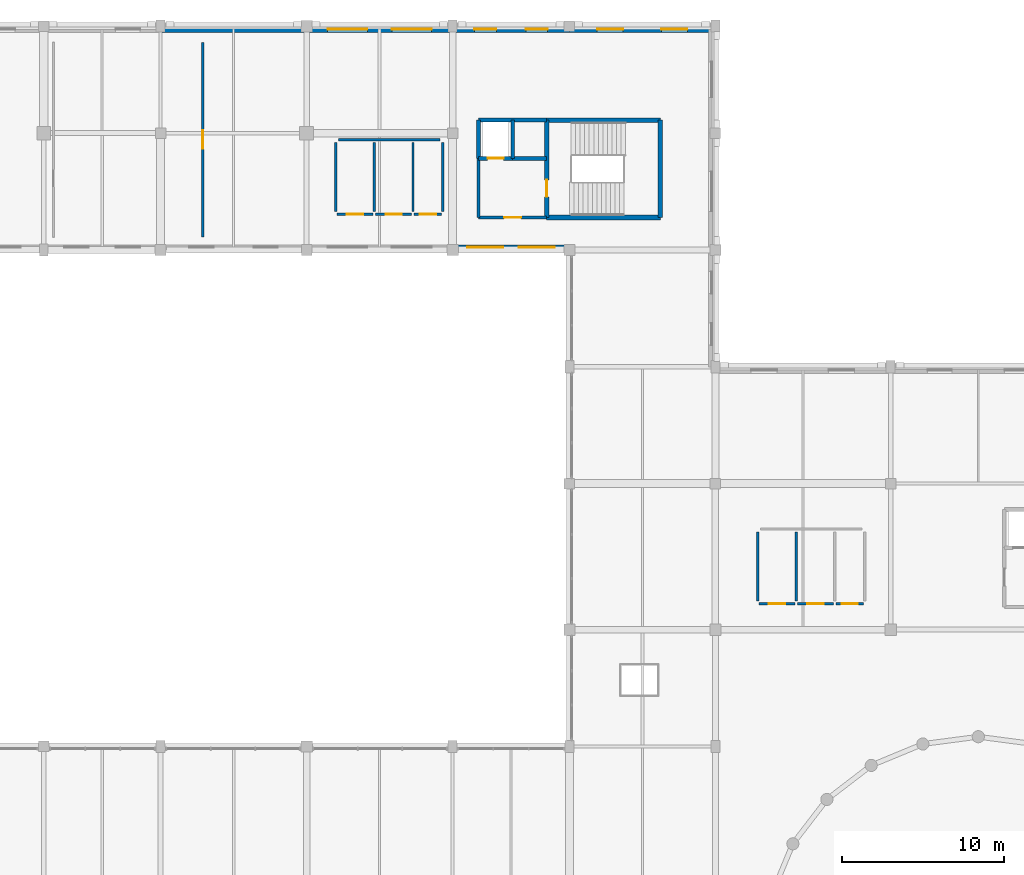
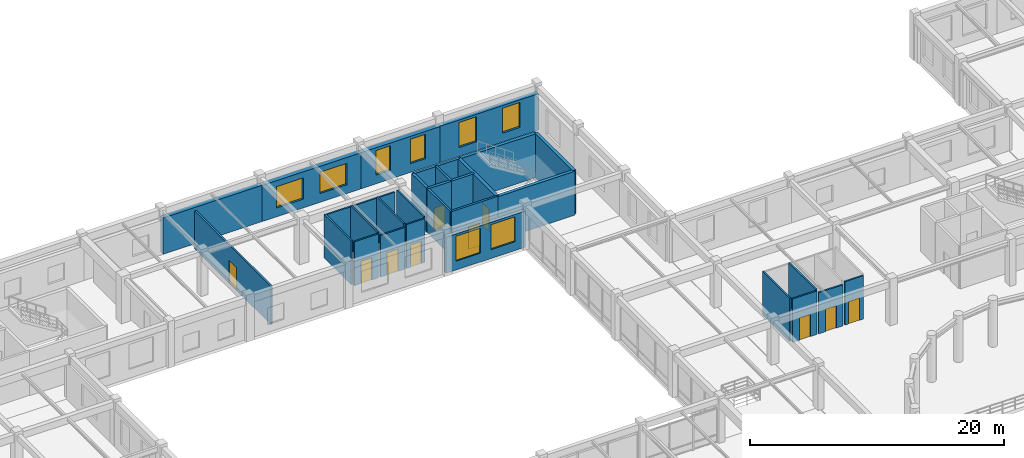
# One storey, part 43 of 62: 30 walls, 10 doors, 8 windows, 18 openings.
"""IFC4 building model written with IfcOpenShell, lengths in metres."""

from ifc_helpers import new_model, si_unit, direction, frame, frame_2d, origin, place, context, subcontext, project, spatial, rectangle, extrude, material, layer, layer_set, type_object, element, fill, save


model = new_model("IFC4")

# Units and contexts
model_context = context("Model", 3, precision=1e-05, world=origin(), true_north=direction((0.0, 1.0)))
body_context = subcontext(model_context, "Body", "Model", "MODEL_VIEW")
ifc_project = project(units=[si_unit("LENGTHUNIT", "METRE"), si_unit("AREAUNIT", "SQUARE_METRE"), si_unit("VOLUMEUNIT", "CUBIC_METRE"), si_unit("PLANEANGLEUNIT", "RADIAN"), si_unit("MASSUNIT", "GRAM", prefix="KILO")], contexts=[model_context])

# Site, building, storey
site_placement = place(None, origin())
site = spatial("IfcSite", under=ifc_project, at=site_placement, CompositionType="ELEMENT")
building_placement = place(site_placement, origin())
building = spatial("IfcBuilding", under=site, at=building_placement, Name="Clarverna Civic Hall", CompositionType="ELEMENT")
storey_placement = place(building_placement, frame((0.0, 0.0, 5.10009765625)))
storey = spatial("IfcBuildingStorey", under=building, at=storey_placement, Name="L01", CompositionType="ELEMENT", Elevation=5.10009765625)

# Wall
ifc_material_1 = material(Name="Montjuic Limestone Ashlar Cladding", Category="masonry")
ifc_layer_1 = layer(ifc_material_1, 0.39990234375)
ifc_layer_set_1 = layer_set([ifc_layer_1], Name="Montjuic Limestone Ashlar Cladding")
wall_type_1 = type_object("IfcWallType", Name="EW-02", PredefinedType="SOLIDWALL", material=ifc_layer_set_1)
wall_1_placement = place(storey_placement, frame((32.39990234375, 115.800048828125, 0.0), z_axis=(0.0, 0.0, 1.0), x_axis=(1.0, 0.0, 0.0)))
element("IfcWall", 1, at=wall_1_placement, inside=storey, type_object=wall_type_1, Name="EW-02-020", PredefinedType="SOLIDWALL", context=body_context, shape_type="SweptSolid", body=[
    extrude(rectangle(XDim=9.0, YDim=0.39990234375, at=frame_2d((4.5, 0.0))), origin(), (0.0, 0.0, 1.0), 3.5),
])

# Wall, openings, windows
wall_2_placement = place(storey_placement, frame((41.39990234375, 115.800048828125, 0.0), z_axis=(0.0, 0.0, 1.0), x_axis=(1.0, 0.0, 0.0)))
wall_2 = element("IfcWall", 2, at=wall_2_placement, inside=storey, type_object=wall_type_1, Name="EW-02-021", PredefinedType="SOLIDWALL", context=body_context, shape_type="SweptSolid", body=[
    extrude(rectangle(XDim=9.0, YDim=0.39990234375, at=frame_2d((4.5, 0.0))), origin(), (0.0, 0.0, 1.0), 3.469970703125),
])
opening_1_placement = place(wall_2_placement, frame((1.294921875, 0.0, 0.85009765625)))
opening_1 = element("IfcOpeningElement", 3, at=opening_1_placement, cuts=wall_2, Name="Opening WN-24", PredefinedType="OPENING", context=body_context, shape_type="SweptSolid", body=[
    extrude(rectangle(XDim=2.449951171875, YDim=2.050048828125, at=frame_2d((1.22509765625, 1.02490234375))), frame((0.0, 0.2099609375, 0.0), z_axis=(0.0, -1.0, 0.0), x_axis=(1.0, 0.0, 0.0)), (0.0, 0.0, 1.0), 0.419921875),
])
opening_2_placement = place(wall_2_placement, frame((5.2548828125, 0.0, 0.85009765625)))
opening_2 = element("IfcOpeningElement", 4, at=opening_2_placement, cuts=wall_2, Name="Opening WN-24", PredefinedType="OPENING", context=body_context, shape_type="SweptSolid", body=[
    extrude(rectangle(XDim=2.449951171875, YDim=2.050048828125, at=frame_2d((1.22509765625, 1.02490234375))), frame((0.0, 0.2099609375, 0.0), z_axis=(0.0, -1.0, 0.0), x_axis=(1.0, 0.0, 0.0)), (0.0, 0.0, 1.0), 0.419921875),
])
ifc_material_2 = material(Name="Solar-Control Argon Low-E Double Glazing", Category="glass")
window_type_1 = type_object("IfcWindowType", Name="WN-24", PartitioningType="TRIPLE_PANEL_VERTICAL", PredefinedType="WINDOW", material=ifc_material_2)
window_1_placement = place(opening_1_placement, origin())
window_1 = element("IfcWindow", 5, at=window_1_placement, inside=storey, type_object=window_type_1, Name="WN-24-009", OverallHeight=2.050048828125, OverallWidth=2.449951171875, PartitioningType="TRIPLE_PANEL_VERTICAL", PredefinedType="WINDOW", context=body_context, shape_type="SweptSolid", body=[
    extrude(rectangle(XDim=2.449951171875, YDim=2.050048828125, at=frame_2d((1.22509765625, 1.02490234375))), frame((0.0, 0.030029296875, 0.0), z_axis=(0.0, -1.0, 0.0), x_axis=(1.0, 0.0, 0.0)), (0.0, 0.0, 1.0), 0.06005859375),
])
fill(opening_1, window_1)
window_2_placement = place(opening_2_placement, origin())
window_2 = element("IfcWindow", 6, at=window_2_placement, inside=storey, type_object=window_type_1, Name="WN-24-010", OverallHeight=2.050048828125, OverallWidth=2.449951171875, PartitioningType="TRIPLE_PANEL_VERTICAL", PredefinedType="WINDOW", context=body_context, shape_type="SweptSolid", body=[
    extrude(rectangle(XDim=2.449951171875, YDim=2.050048828125, at=frame_2d((1.22509765625, 1.02490234375))), frame((0.0, 0.030029296875, 0.0), z_axis=(0.0, -1.0, 0.0), x_axis=(1.0, 0.0, 0.0)), (0.0, 0.0, 1.0), 0.06005859375),
])
fill(opening_2, window_2)

wall_3_placement = place(storey_placement, frame((50.39990234375, 115.800048828125, 0.0), z_axis=(0.0, 0.0, 1.0), x_axis=(1.0, 0.0, 0.0)))
wall_3 = element("IfcWall", 7, at=wall_3_placement, inside=storey, type_object=wall_type_1, Name="EW-02-022", PredefinedType="SOLIDWALL", context=body_context, shape_type="SweptSolid", body=[
    extrude(rectangle(XDim=7.2001953125, YDim=0.39990234375, at=frame_2d((3.60009765625, 0.0))), origin(), (0.0, 0.0, 1.0), 3.469970703125),
])
opening_3_placement = place(wall_3_placement, frame((1.341064453125, 0.0, 0.85009765625)))
opening_3 = element("IfcOpeningElement", 8, at=opening_3_placement, cuts=wall_3, Name="Opening WN-29", PredefinedType="OPENING", context=body_context, shape_type="SweptSolid", body=[
    extrude(rectangle(XDim=1.35009765625, YDim=2.35009765625, at=frame_2d((0.675048828125, 1.175048828125))), frame((0.0, 0.2099609375, 0.0), z_axis=(0.0, -1.0, 0.0), x_axis=(1.0, 0.0, 0.0)), (0.0, 0.0, 1.0), 0.419921875),
])
opening_4_placement = place(wall_3_placement, frame((4.509033203125, 0.0, 0.85009765625)))
opening_4 = element("IfcOpeningElement", 9, at=opening_4_placement, cuts=wall_3, Name="Opening WN-29", PredefinedType="OPENING", context=body_context, shape_type="SweptSolid", body=[
    extrude(rectangle(XDim=1.35009765625, YDim=2.35009765625, at=frame_2d((0.675048828125, 1.175048828125))), frame((0.0, 0.2099609375, 0.0), z_axis=(0.0, -1.0, 0.0), x_axis=(1.0, 0.0, 0.0)), (0.0, 0.0, 1.0), 0.419921875),
])
window_type_2 = type_object("IfcWindowType", Name="WN-29", PartitioningType="SINGLE_PANEL", PredefinedType="WINDOW", material=ifc_material_2)
window_3_placement = place(opening_3_placement, origin())
window_3 = element("IfcWindow", 10, at=window_3_placement, inside=storey, type_object=window_type_2, Name="WN-29-009", OverallHeight=2.35009765625, OverallWidth=1.35009765625, PartitioningType="SINGLE_PANEL", PredefinedType="WINDOW", context=body_context, shape_type="SweptSolid", body=[
    extrude(rectangle(XDim=1.35009765625, YDim=2.35009765625, at=frame_2d((0.675048828125, 1.175048828125))), frame((0.0, 0.030029296875, 0.0), z_axis=(0.0, -1.0, 0.0), x_axis=(1.0, 0.0, 0.0)), (0.0, 0.0, 1.0), 0.06005859375),
])
fill(opening_3, window_3)
window_4_placement = place(opening_4_placement, origin())
window_4 = element("IfcWindow", 11, at=window_4_placement, inside=storey, type_object=window_type_2, Name="WN-29-010", OverallHeight=2.35009765625, OverallWidth=1.35009765625, PartitioningType="SINGLE_PANEL", PredefinedType="WINDOW", context=body_context, shape_type="SweptSolid", body=[
    extrude(rectangle(XDim=1.35009765625, YDim=2.35009765625, at=frame_2d((0.675048828125, 1.175048828125))), frame((0.0, 0.030029296875, 0.0), z_axis=(0.0, -1.0, 0.0), x_axis=(1.0, 0.0, 0.0)), (0.0, 0.0, 1.0), 0.06005859375),
])
fill(opening_4, window_4)

wall_4_placement = place(storey_placement, frame((57.60009765625, 115.800048828125, 0.0), z_axis=(0.0, 0.0, 1.0), x_axis=(1.0, 0.0, 0.0)))
wall_4 = element("IfcWall", 12, at=wall_4_placement, inside=storey, type_object=wall_type_1, Name="EW-02-023", PredefinedType="SOLIDWALL", context=body_context, shape_type="SweptSolid", body=[
    extrude(rectangle(XDim=8.974853515625, YDim=0.39990234375, at=frame_2d((4.4873046875, 0.0))), origin(), (0.0, 0.0, 1.0), 3.5),
])
opening_5_placement = place(wall_4_placement, frame((1.712890625, 0.0, 0.85009765625)))
opening_5 = element("IfcOpeningElement", 13, at=opening_5_placement, cuts=wall_4, Name="Opening WN-03", PredefinedType="OPENING", context=body_context, shape_type="SweptSolid", body=[
    extrude(rectangle(XDim=1.60009765625, YDim=2.39990234375, at=frame_2d((0.800048828125, 1.199951171875))), frame((0.0, 0.2099609375, 0.0), z_axis=(0.0, -1.0, 0.0), x_axis=(1.0, 0.0, 0.0)), (0.0, 0.0, 1.0), 0.419921875),
])
opening_6_placement = place(wall_4_placement, frame((5.662109375, 0.0, 0.85009765625)))
opening_6 = element("IfcOpeningElement", 14, at=opening_6_placement, cuts=wall_4, Name="Opening WN-03", PredefinedType="OPENING", context=body_context, shape_type="SweptSolid", body=[
    extrude(rectangle(XDim=1.60009765625, YDim=2.39990234375, at=frame_2d((0.800048828125, 1.199951171875))), frame((0.0, 0.2099609375, 0.0), z_axis=(0.0, -1.0, 0.0), x_axis=(1.0, 0.0, 0.0)), (0.0, 0.0, 1.0), 0.419921875),
])
window_type_3 = type_object("IfcWindowType", Name="WN-03", PartitioningType="DOUBLE_PANEL_VERTICAL", PredefinedType="WINDOW", material=ifc_material_2)
window_5_placement = place(opening_5_placement, origin())
window_5 = element("IfcWindow", 15, at=window_5_placement, inside=storey, type_object=window_type_3, Name="WN-03-006", OverallHeight=2.39990234375, OverallWidth=1.60009765625, PartitioningType="DOUBLE_PANEL_VERTICAL", PredefinedType="WINDOW", context=body_context, shape_type="SweptSolid", body=[
    extrude(rectangle(XDim=1.60009765625, YDim=2.39990234375, at=frame_2d((0.800048828125, 1.199951171875))), frame((0.0, 0.030029296875, 0.0), z_axis=(0.0, -1.0, 0.0), x_axis=(1.0, 0.0, 0.0)), (0.0, 0.0, 1.0), 0.06005859375),
])
fill(opening_5, window_5)
window_6_placement = place(opening_6_placement, origin())
window_6 = element("IfcWindow", 16, at=window_6_placement, inside=storey, type_object=window_type_3, Name="WN-03-007", OverallHeight=2.39990234375, OverallWidth=1.60009765625, PartitioningType="DOUBLE_PANEL_VERTICAL", PredefinedType="WINDOW", context=body_context, shape_type="SweptSolid", body=[
    extrude(rectangle(XDim=1.60009765625, YDim=2.39990234375, at=frame_2d((0.800048828125, 1.199951171875))), frame((0.0, 0.030029296875, 0.0), z_axis=(0.0, -1.0, 0.0), x_axis=(1.0, 0.0, 0.0)), (0.0, 0.0, 1.0), 0.06005859375),
])
fill(opening_6, window_6)

ifc_material_3 = material(Name="Precast concrete C40/50", Category="concrete")
ifc_layer_2 = layer(ifc_material_3, 0.320068359375)
ifc_layer_set_2 = layer_set([ifc_layer_2], Name="Precast concrete C40/50")
wall_type_2 = type_object("IfcWallType", Name="EW-04", PredefinedType="SOLIDWALL", material=ifc_layer_set_2)
wall_5_placement = place(storey_placement, frame((57.60009765625, 102.360107421875, 0.0), z_axis=(0.0, 0.0, 1.0), x_axis=(-1.0, 0.0, 0.0)))
wall_5 = element("IfcWall", 17, at=wall_5_placement, inside=storey, type_object=wall_type_2, Name="EW-04-001", PredefinedType="SOLIDWALL", context=body_context, shape_type="SweptSolid", body=[
    extrude(rectangle(XDim=7.2001953125, YDim=0.320068359375, at=frame_2d((3.60009765625, 0.0))), origin(), (0.0, 0.0, 1.0), 3.469970703125),
])
opening_7_placement = place(wall_5_placement, frame((0.916015625, 0.0, 0.85009765625)))
opening_7 = element("IfcOpeningElement", 18, at=opening_7_placement, cuts=wall_5, Name="Opening WN-04", PredefinedType="OPENING", context=body_context, shape_type="SweptSolid", body=[
    extrude(rectangle(XDim=2.199951171875, YDim=2.39990234375, at=frame_2d((1.10009765625, 1.199951171875))), frame((0.0, 0.169921875, 0.0), z_axis=(0.0, -1.0, 0.0), x_axis=(1.0, 0.0, 0.0)), (0.0, 0.0, 1.0), 0.340087890625),
])
opening_8_placement = place(wall_5_placement, frame((4.083984375, 0.0, 0.85009765625)))
opening_8 = element("IfcOpeningElement", 19, at=opening_8_placement, cuts=wall_5, Name="Opening WN-04", PredefinedType="OPENING", context=body_context, shape_type="SweptSolid", body=[
    extrude(rectangle(XDim=2.199951171875, YDim=2.39990234375, at=frame_2d((1.10009765625, 1.199951171875))), frame((0.0, 0.169921875, 0.0), z_axis=(0.0, -1.0, 0.0), x_axis=(1.0, 0.0, 0.0)), (0.0, 0.0, 1.0), 0.340087890625),
])
window_type_4 = type_object("IfcWindowType", Name="WN-04", PartitioningType="DOUBLE_PANEL_VERTICAL", PredefinedType="WINDOW", material=ifc_material_2)
window_7_placement = place(opening_7_placement, origin())
window_7 = element("IfcWindow", 20, at=window_7_placement, inside=storey, type_object=window_type_4, Name="WN-04-029", OverallHeight=2.39990234375, OverallWidth=2.199951171875, PartitioningType="DOUBLE_PANEL_VERTICAL", PredefinedType="WINDOW", context=body_context, shape_type="SweptSolid", body=[
    extrude(rectangle(XDim=2.199951171875, YDim=2.39990234375, at=frame_2d((1.10009765625, 1.199951171875))), frame((0.0, 0.030029296875, 0.0), z_axis=(0.0, -1.0, 0.0), x_axis=(1.0, 0.0, 0.0)), (0.0, 0.0, 1.0), 0.06005859375),
])
fill(opening_7, window_7)
window_8_placement = place(opening_8_placement, origin())
window_8 = element("IfcWindow", 21, at=window_8_placement, inside=storey, type_object=window_type_4, Name="WN-04-030", OverallHeight=2.39990234375, OverallWidth=2.199951171875, PartitioningType="DOUBLE_PANEL_VERTICAL", PredefinedType="WINDOW", context=body_context, shape_type="SweptSolid", body=[
    extrude(rectangle(XDim=2.199951171875, YDim=2.39990234375, at=frame_2d((1.10009765625, 1.199951171875))), frame((0.0, 0.030029296875, 0.0), z_axis=(0.0, -1.0, 0.0), x_axis=(1.0, 0.0, 0.0)), (0.0, 0.0, 1.0), 0.06005859375),
])
fill(opening_8, window_8)

# Wall, opening, door
ifc_material_4 = material(Name="Acoustic Gypsum Plasterboard Partition", Category="gypsum")
ifc_layer_3 = layer(ifc_material_4, 0.159912109375)
ifc_layer_set_3 = layer_set([ifc_layer_3], Name="Acoustic Gypsum Plasterboard Partition")
wall_type_3 = type_object("IfcWallType", Name="PW-01", PredefinedType="PARTITIONING", material=ifc_layer_set_3)
wall_6_placement = place(storey_placement, frame((35.0, 103.0, 0.0), z_axis=(0.0, 0.0, 1.0), x_axis=(0.0, 1.0, 0.0)))
wall_6 = element("IfcWall", 22, at=wall_6_placement, inside=storey, type_object=wall_type_3, Name="PW-01-003", PredefinedType="PARTITIONING", context=body_context, shape_type="SweptSolid", body=[
    extrude(rectangle(XDim=12.0, YDim=0.159912109375, at=frame_2d((6.0, 0.0))), origin(), (0.0, 0.0, 1.0), 3.669921875),
])
opening_9_placement = place(wall_6_placement, frame((5.425048828125, 0.0, 0.0)))
opening_9 = element("IfcOpeningElement", 23, at=opening_9_placement, cuts=wall_6, Name="Opening ID-03", PredefinedType="OPENING", context=body_context, shape_type="SweptSolid", body=[
    extrude(rectangle(XDim=1.14990234375, YDim=2.199951171875, at=frame_2d((0.574951171875, 1.10009765625))), frame((0.0, 0.08984375, 0.0), z_axis=(0.0, -1.0, 0.0), x_axis=(1.0, 0.0, 0.0)), (0.0, 0.0, 1.0), 0.179931640625),
])
ifc_material_5 = material(Name="European Oak Veneered Acoustic Timber Door", Category="wood")
door_type_1 = type_object("IfcDoorType", Name="ID-03", OperationType="NOTDEFINED", PredefinedType="DOOR", material=ifc_material_5)
door_1_placement = place(opening_9_placement, origin())
door_1 = element("IfcDoor", 24, at=door_1_placement, inside=storey, type_object=door_type_1, Name="ID-03-001", OperationType="SINGLE_SWING_RIGHT", OverallHeight=2.199951171875, OverallWidth=1.14990234375, PredefinedType="DOOR", context=body_context, shape_type="SweptSolid", body=[
    extrude(rectangle(XDim=1.14990234375, YDim=2.199951171875, at=frame_2d((0.574951171875, 1.10009765625))), frame((0.0, 0.02490234375, 0.0), z_axis=(0.0, -1.0, 0.0), x_axis=(1.0, 0.0, 0.0)), (0.0, 0.0, 1.0), 0.050048828125),
])
fill(opening_9, door_1)

# Walls
ifc_material_6 = material(Name="Ceramic Brick and Plaster Wet-Room Partition", Category="masonry")
ifc_layer_4 = layer(ifc_material_6, 0.139892578125)
ifc_layer_set_4 = layer_set([ifc_layer_4], Name="Ceramic Brick and Plaster Wet-Room Partition")
wall_type_4 = type_object("IfcWallType", Name="PW-02", PredefinedType="PARTITIONING", material=ifc_layer_set_4)
for number, where, z_axis, x_axis, name in (
    (25, (69.199951171875, 80.580078125, 0.0), (0.0, 0.0, 1.0), (0.0, 1.0, 0.0), "PW-02-082"),
    (26, (71.575927734375, 80.580078125, 0.0), (0.0, 0.0, 1.0), (0.0, 1.0, 0.0), "PW-02-084"),
):
    element("IfcWall", number, at=place(storey_placement, frame(where, z_axis=z_axis, x_axis=x_axis)), inside=storey, type_object=wall_type_4, Name=name, PredefinedType="PARTITIONING", context=body_context, shape_type="SweptSolid", body=[
        extrude(rectangle(XDim=4.239990234375, YDim=0.139892578125, at=frame_2d((2.1201171875, 0.0))), origin(), (0.0, 0.0, 1.0), 4.179931640625),
    ])

# Wall, opening, door
wall_7_placement = place(storey_placement, frame((69.280029296875, 80.39990234375, 0.0), z_axis=(0.0, 0.0, 1.0), x_axis=(1.0, 0.0, 0.0)))
wall_7 = element("IfcWall", 27, at=wall_7_placement, inside=storey, type_object=wall_type_4, Name="PW-02-086", PredefinedType="PARTITIONING", context=body_context, shape_type="SweptSolid", body=[
    extrude(rectangle(XDim=2.216064453125, YDim=0.139892578125, at=frame_2d((1.10791015625, 0.0))), origin(), (0.0, 0.0, 1.0), 4.179931640625),
])
opening_10_placement = place(wall_7_placement, frame((0.60791015625, 0.0, 0.0)))
opening_10 = element("IfcOpeningElement", 28, at=opening_10_placement, cuts=wall_7, Name="Opening ID-02", PredefinedType="OPENING", context=body_context, shape_type="SweptSolid", body=[
    extrude(rectangle(XDim=1.0, YDim=2.14990234375, at=frame_2d((0.5, 1.074951171875))), frame((0.0, 0.079833984375, 0.0), z_axis=(0.0, -1.0, 0.0), x_axis=(1.0, 0.0, 0.0)), (0.0, 0.0, 1.0), 0.159912109375),
])
door_type_2 = type_object("IfcDoorType", Name="ID-02", OperationType="NOTDEFINED", PredefinedType="DOOR", material=ifc_material_5)
door_2_placement = place(opening_10_placement, origin())
door_2 = element("IfcDoor", 29, at=door_2_placement, inside=storey, type_object=door_type_2, Name="ID-02-031", OperationType="SINGLE_SWING_LEFT", OverallHeight=2.14990234375, OverallWidth=1.0, PredefinedType="DOOR", context=body_context, shape_type="SweptSolid", body=[
    extrude(rectangle(XDim=1.0, YDim=2.14990234375, at=frame_2d((0.5, 1.074951171875))), frame((0.0, 0.02490234375, 0.0), z_axis=(0.0, -1.0, 0.0), x_axis=(1.0, 0.0, 0.0)), (0.0, 0.0, 1.0), 0.050048828125),
])
fill(opening_10, door_2)

wall_8_placement = place(storey_placement, frame((71.656005859375, 80.39990234375, 0.0), z_axis=(0.0, 0.0, 1.0), x_axis=(1.0, 0.0, 0.0)))
wall_8 = element("IfcWall", 30, at=wall_8_placement, inside=storey, type_object=wall_type_4, Name="PW-02-087", PredefinedType="PARTITIONING", context=body_context, shape_type="SweptSolid", body=[
    extrude(rectangle(XDim=2.216064453125, YDim=0.139892578125, at=frame_2d((1.10791015625, 0.0))), origin(), (0.0, 0.0, 1.0), 3.9599609375),
])
opening_11_placement = place(wall_8_placement, frame((0.60791015625, 0.0, 0.0)))
opening_11 = element("IfcOpeningElement", 31, at=opening_11_placement, cuts=wall_8, Name="Opening ID-02", PredefinedType="OPENING", context=body_context, shape_type="SweptSolid", body=[
    extrude(rectangle(XDim=1.0, YDim=2.14990234375, at=frame_2d((0.5, 1.074951171875))), frame((0.0, 0.079833984375, 0.0), z_axis=(0.0, -1.0, 0.0), x_axis=(1.0, 0.0, 0.0)), (0.0, 0.0, 1.0), 0.159912109375),
])
door_3_placement = place(opening_11_placement, origin())
door_3 = element("IfcDoor", 32, at=door_3_placement, inside=storey, type_object=door_type_2, Name="ID-02-032", OperationType="SINGLE_SWING_RIGHT", OverallHeight=2.14990234375, OverallWidth=1.0, PredefinedType="DOOR", context=body_context, shape_type="SweptSolid", body=[
    extrude(rectangle(XDim=1.0, YDim=2.14990234375, at=frame_2d((0.5, 1.074951171875))), frame((0.0, 0.02490234375, 0.0), z_axis=(0.0, -1.0, 0.0), x_axis=(1.0, 0.0, 0.0)), (0.0, 0.0, 1.0), 0.050048828125),
])
fill(opening_11, door_3)

wall_9_placement = place(storey_placement, frame((74.031982421875, 80.39990234375, 0.0), z_axis=(0.0, 0.0, 1.0), x_axis=(1.0, 0.0, 0.0)))
wall_9 = element("IfcWall", 33, at=wall_9_placement, inside=storey, type_object=wall_type_4, Name="PW-02-088", PredefinedType="PARTITIONING", context=body_context, shape_type="SweptSolid", body=[
    extrude(rectangle(XDim=1.68798828125, YDim=0.139892578125, at=frame_2d((0.843994140625, 0.0))), origin(), (0.0, 0.0, 1.0), 4.179931640625),
])
opening_12_placement = place(wall_9_placement, frame((0.343994140625, 0.0, 0.0)))
opening_12 = element("IfcOpeningElement", 34, at=opening_12_placement, cuts=wall_9, Name="Opening ID-02", PredefinedType="OPENING", context=body_context, shape_type="SweptSolid", body=[
    extrude(rectangle(XDim=1.0, YDim=2.14990234375, at=frame_2d((0.5, 1.074951171875))), frame((0.0, 0.079833984375, 0.0), z_axis=(0.0, -1.0, 0.0), x_axis=(1.0, 0.0, 0.0)), (0.0, 0.0, 1.0), 0.159912109375),
])
door_4_placement = place(opening_12_placement, origin())
door_4 = element("IfcDoor", 35, at=door_4_placement, inside=storey, type_object=door_type_2, Name="ID-02-033", OperationType="SINGLE_SWING_LEFT", OverallHeight=2.14990234375, OverallWidth=1.0, PredefinedType="DOOR", context=body_context, shape_type="SweptSolid", body=[
    extrude(rectangle(XDim=1.0, YDim=2.14990234375, at=frame_2d((0.5, 1.074951171875))), frame((0.0, 0.02490234375, 0.0), z_axis=(0.0, -1.0, 0.0), x_axis=(1.0, 0.0, 0.0)), (0.0, 0.0, 1.0), 0.050048828125),
])
fill(opening_12, door_4)

# Walls
wall_10_placement = place(storey_placement, frame((43.3798828125, 109.0, 0.0), z_axis=(0.0, 0.0, 1.0), x_axis=(1.0, 0.0, 0.0)))
element("IfcWall", 36, at=wall_10_placement, inside=storey, type_object=wall_type_4, Name="PW-02-129", PredefinedType="PARTITIONING", context=body_context, shape_type="SweptSolid", body=[
    extrude(rectangle(XDim=6.240234375, YDim=0.139892578125, at=frame_2d((3.1201171875, 0.0))), origin(), (0.0, 0.0, 1.0), 4.0),
])
for number, where, z_axis, x_axis, name in (
    (37, (43.199951171875, 104.580078125, 0.0), (0.0, 0.0, 1.0), (0.0, 1.0, 0.0), "PW-02-130"),
    (38, (49.800048828125, 104.580078125, 0.0), (0.0, 0.0, 1.0), (0.0, 1.0, 0.0), "PW-02-131"),
    (39, (45.575927734375, 104.580078125, 0.0), (0.0, 0.0, 1.0), (0.0, 1.0, 0.0), "PW-02-132"),
    (40, (47.951904296875, 104.580078125, 0.0), (0.0, 0.0, 1.0), (0.0, 1.0, 0.0), "PW-02-133"),
):
    element("IfcWall", number, at=place(storey_placement, frame(where, z_axis=z_axis, x_axis=x_axis)), inside=storey, type_object=wall_type_4, Name=name, PredefinedType="PARTITIONING", context=body_context, shape_type="SweptSolid", body=[
        extrude(rectangle(XDim=4.239990234375, YDim=0.139892578125, at=frame_2d((2.1201171875, 0.0))), origin(), (0.0, 0.0, 1.0), 4.219970703125),
    ])

# Wall, opening, door
wall_11_placement = place(storey_placement, frame((43.280029296875, 104.39990234375, 0.0), z_axis=(0.0, 0.0, 1.0), x_axis=(1.0, 0.0, 0.0)))
wall_11 = element("IfcWall", 41, at=wall_11_placement, inside=storey, type_object=wall_type_4, Name="PW-02-134", PredefinedType="PARTITIONING", context=body_context, shape_type="SweptSolid", body=[
    extrude(rectangle(XDim=2.216064453125, YDim=0.139892578125, at=frame_2d((1.10791015625, 0.0))), origin(), (0.0, 0.0, 1.0), 4.219970703125),
])
opening_13_placement = place(wall_11_placement, frame((0.60791015625, 0.0, 0.0)))
opening_13 = element("IfcOpeningElement", 42, at=opening_13_placement, cuts=wall_11, Name="Opening ID-02", PredefinedType="OPENING", context=body_context, shape_type="SweptSolid", body=[
    extrude(rectangle(XDim=1.0, YDim=2.14990234375, at=frame_2d((0.5, 1.074951171875))), frame((0.0, 0.079833984375, 0.0), z_axis=(0.0, -1.0, 0.0), x_axis=(1.0, 0.0, 0.0)), (0.0, 0.0, 1.0), 0.159912109375),
])
door_5_placement = place(opening_13_placement, origin())
door_5 = element("IfcDoor", 43, at=door_5_placement, inside=storey, type_object=door_type_2, Name="ID-02-049", OperationType="SINGLE_SWING_LEFT", OverallHeight=2.14990234375, OverallWidth=1.0, PredefinedType="DOOR", context=body_context, shape_type="SweptSolid", body=[
    extrude(rectangle(XDim=1.0, YDim=2.14990234375, at=frame_2d((0.5, 1.074951171875))), frame((0.0, 0.02490234375, 0.0), z_axis=(0.0, -1.0, 0.0), x_axis=(1.0, 0.0, 0.0)), (0.0, 0.0, 1.0), 0.050048828125),
])
fill(opening_13, door_5)

wall_12_placement = place(storey_placement, frame((45.656005859375, 104.39990234375, 0.0), z_axis=(0.0, 0.0, 1.0), x_axis=(1.0, 0.0, 0.0)))
wall_12 = element("IfcWall", 44, at=wall_12_placement, inside=storey, type_object=wall_type_4, Name="PW-02-135", PredefinedType="PARTITIONING", context=body_context, shape_type="SweptSolid", body=[
    extrude(rectangle(XDim=2.216064453125, YDim=0.139892578125, at=frame_2d((1.10791015625, 0.0))), origin(), (0.0, 0.0, 1.0), 4.0),
])
opening_14_placement = place(wall_12_placement, frame((0.60791015625, 0.0, 0.0)))
opening_14 = element("IfcOpeningElement", 45, at=opening_14_placement, cuts=wall_12, Name="Opening ID-02", PredefinedType="OPENING", context=body_context, shape_type="SweptSolid", body=[
    extrude(rectangle(XDim=1.0, YDim=2.14990234375, at=frame_2d((0.5, 1.074951171875))), frame((0.0, 0.079833984375, 0.0), z_axis=(0.0, -1.0, 0.0), x_axis=(1.0, 0.0, 0.0)), (0.0, 0.0, 1.0), 0.159912109375),
])
door_6_placement = place(opening_14_placement, origin())
door_6 = element("IfcDoor", 46, at=door_6_placement, inside=storey, type_object=door_type_2, Name="ID-02-050", OperationType="SINGLE_SWING_RIGHT", OverallHeight=2.14990234375, OverallWidth=1.0, PredefinedType="DOOR", context=body_context, shape_type="SweptSolid", body=[
    extrude(rectangle(XDim=1.0, YDim=2.14990234375, at=frame_2d((0.5, 1.074951171875))), frame((0.0, 0.02490234375, 0.0), z_axis=(0.0, -1.0, 0.0), x_axis=(1.0, 0.0, 0.0)), (0.0, 0.0, 1.0), 0.050048828125),
])
fill(opening_14, door_6)

wall_13_placement = place(storey_placement, frame((48.031982421875, 104.39990234375, 0.0), z_axis=(0.0, 0.0, 1.0), x_axis=(1.0, 0.0, 0.0)))
wall_13 = element("IfcWall", 47, at=wall_13_placement, inside=storey, type_object=wall_type_4, Name="PW-02-136", PredefinedType="PARTITIONING", context=body_context, shape_type="SweptSolid", body=[
    extrude(rectangle(XDim=1.68798828125, YDim=0.139892578125, at=frame_2d((0.843994140625, 0.0))), origin(), (0.0, 0.0, 1.0), 4.219970703125),
])
opening_15_placement = place(wall_13_placement, frame((0.343994140625, 0.0, 0.0)))
opening_15 = element("IfcOpeningElement", 48, at=opening_15_placement, cuts=wall_13, Name="Opening ID-02", PredefinedType="OPENING", context=body_context, shape_type="SweptSolid", body=[
    extrude(rectangle(XDim=1.0, YDim=2.14990234375, at=frame_2d((0.5, 1.074951171875))), frame((0.0, 0.079833984375, 0.0), z_axis=(0.0, -1.0, 0.0), x_axis=(1.0, 0.0, 0.0)), (0.0, 0.0, 1.0), 0.159912109375),
])
door_7_placement = place(opening_15_placement, origin())
door_7 = element("IfcDoor", 49, at=door_7_placement, inside=storey, type_object=door_type_2, Name="ID-02-051", OperationType="SINGLE_SWING_LEFT", OverallHeight=2.14990234375, OverallWidth=1.0, PredefinedType="DOOR", context=body_context, shape_type="SweptSolid", body=[
    extrude(rectangle(XDim=1.0, YDim=2.14990234375, at=frame_2d((0.5, 1.074951171875))), frame((0.0, 0.02490234375, 0.0), z_axis=(0.0, -1.0, 0.0), x_axis=(1.0, 0.0, 0.0)), (0.0, 0.0, 1.0), 0.050048828125),
])
fill(opening_15, door_7)

# Wall
ifc_material_7 = material(Name="Acoustic Gypsum Plasterboard on Twin Frame", Category="gypsum")
ifc_layer_5 = layer(ifc_material_7, 0.18994140625)
ifc_layer_set_5 = layer_set([ifc_layer_5], Name="Acoustic Gypsum Plasterboard on Twin Frame")
wall_type_5 = type_object("IfcWallType", Name="PW-06", PredefinedType="PARTITIONING", material=ifc_layer_set_5)
wall_14_placement = place(storey_placement, frame((52.0, 104.199951171875, 0.0), z_axis=(0.0, 0.0, 1.0), x_axis=(0.0, 1.0, 0.0)))
element("IfcWall", 50, at=wall_14_placement, inside=storey, type_object=wall_type_5, Name="PW-06-107", PredefinedType="PARTITIONING", context=body_context, shape_type="SweptSolid", body=[
    extrude(rectangle(XDim=3.650146484375, YDim=0.18994140625, at=frame_2d((1.8251953125, 0.0))), origin(), (0.0, 0.0, 1.0), 4.219970703125),
])

# Wall, opening, door
wall_15_placement = place(storey_placement, frame((52.0, 104.199951171875, 0.0), z_axis=(0.0, 0.0, 1.0), x_axis=(1.0, 0.0, 0.0)))
wall_15 = element("IfcWall", 51, at=wall_15_placement, inside=storey, type_object=wall_type_5, Name="PW-06-108", PredefinedType="PARTITIONING", context=body_context, shape_type="SweptSolid", body=[
    extrude(rectangle(XDim=4.199951171875, YDim=0.18994140625, at=frame_2d((2.10009765625, 0.0))), origin(), (0.0, 0.0, 1.0), 4.219970703125),
])
opening_16_placement = place(wall_15_placement, frame((1.574951171875, 0.0, 0.0)))
opening_16 = element("IfcOpeningElement", 52, at=opening_16_placement, cuts=wall_15, Name="Opening FD-02", PredefinedType="OPENING", context=body_context, shape_type="SweptSolid", body=[
    extrude(rectangle(XDim=1.050048828125, YDim=2.14990234375, at=frame_2d((0.52490234375, 1.074951171875))), frame((0.0, 0.10498046875, 0.0), z_axis=(0.0, -1.0, 0.0), x_axis=(1.0, 0.0, 0.0)), (0.0, 0.0, 1.0), 0.2099609375),
])
ifc_material_8 = material(Name="Acoustic Timber-Faced Fire Door", Category="wood")
door_type_3 = type_object("IfcDoorType", Name="FD-02", OperationType="NOTDEFINED", PredefinedType="DOOR", material=ifc_material_8)
door_8_placement = place(opening_16_placement, origin())
door_8 = element("IfcDoor", 53, at=door_8_placement, inside=storey, type_object=door_type_3, Name="FD-02-099", OperationType="SINGLE_SWING_RIGHT", OverallHeight=2.14990234375, OverallWidth=1.050048828125, PredefinedType="DOOR", context=body_context, shape_type="SweptSolid", body=[
    extrude(rectangle(XDim=1.050048828125, YDim=2.14990234375, at=frame_2d((0.52490234375, 1.074951171875))), frame((0.0, 0.02490234375, 0.0), z_axis=(0.0, -1.0, 0.0), x_axis=(1.0, 0.0, 0.0)), (0.0, 0.0, 1.0), 0.050048828125),
])
fill(opening_16, door_8)

ifc_material_9 = material(Name="Concrete C35/45", Category="concrete")
ifc_layer_6 = layer(ifc_material_9, 0.300048828125)
ifc_layer_set_6 = layer_set([ifc_layer_6], Name="Concrete C35/45")
wall_type_6 = type_object("IfcWallType", Name="SW-03", PredefinedType="SHEAR", material=ifc_layer_set_6)
wall_16_placement = place(storey_placement, frame((56.199951171875, 104.199951171875, 0.0), z_axis=(0.0, 0.0, 1.0), x_axis=(0.0, 1.0, 0.0)))
wall_16 = element("IfcWall", 54, at=wall_16_placement, inside=storey, type_object=wall_type_6, Name="SW-03-226", PredefinedType="SHEAR", context=body_context, shape_type="SweptSolid", body=[
    extrude(rectangle(XDim=6.0, YDim=0.300048828125, at=frame_2d((3.0, 0.0))), origin(), (0.0, 0.0, 1.0), 4.219970703125),
])
opening_17_placement = place(wall_16_placement, frame((1.27490234375, 0.0, 0.0)))
opening_17 = element("IfcOpeningElement", 55, at=opening_17_placement, cuts=wall_16, Name="Opening FD-02", PredefinedType="OPENING", context=body_context, shape_type="SweptSolid", body=[
    extrude(rectangle(XDim=1.050048828125, YDim=2.14990234375, at=frame_2d((0.52490234375, 1.074951171875))), frame((0.0, 0.159912109375, 0.0), z_axis=(0.0, -1.0, 0.0), x_axis=(1.0, 0.0, 0.0)), (0.0, 0.0, 1.0), 0.320068359375),
])
door_9_placement = place(opening_17_placement, origin())
door_9 = element("IfcDoor", 56, at=door_9_placement, inside=storey, type_object=door_type_3, Name="FD-02-098", OperationType="SINGLE_SWING_LEFT", OverallHeight=2.14990234375, OverallWidth=1.050048828125, PredefinedType="DOOR", context=body_context, shape_type="SweptSolid", body=[
    extrude(rectangle(XDim=1.050048828125, YDim=2.14990234375, at=frame_2d((0.52490234375, 1.074951171875))), frame((0.0, 0.02490234375, 0.0), z_axis=(0.0, -1.0, 0.0), x_axis=(1.0, 0.0, 0.0)), (0.0, 0.0, 1.0), 0.050048828125),
])
fill(opening_17, door_9)

# Walls
wall_17_placement = place(storey_placement, frame((63.199951171875, 104.199951171875, 0.0), z_axis=(0.0, 0.0, 1.0), x_axis=(0.0, 1.0, 0.0)))
element("IfcWall", 57, at=wall_17_placement, inside=storey, type_object=wall_type_6, Name="SW-03-227", PredefinedType="SHEAR", context=body_context, shape_type="SweptSolid", body=[
    extrude(rectangle(XDim=6.0, YDim=0.300048828125, at=frame_2d((3.0, 0.0))), origin(), (0.0, 0.0, 1.0), 4.219970703125),
])
for number, where, z_axis, x_axis, name in (
    (58, (56.199951171875, 104.199951171875, 0.0), (0.0, 0.0, 1.0), (1.0, 0.0, 0.0), "SW-03-228"),
    (59, (56.199951171875, 110.199951171875, 0.0), (0.0, 0.0, 1.0), (1.0, 0.0, 0.0), "SW-03-229"),
):
    element("IfcWall", number, at=place(storey_placement, frame(where, z_axis=z_axis, x_axis=x_axis)), inside=storey, type_object=wall_type_6, Name=name, PredefinedType="SHEAR", context=body_context, shape_type="SweptSolid", body=[
        extrude(rectangle(XDim=7.0, YDim=0.300048828125, at=frame_2d((3.5, 0.0))), origin(), (0.0, 0.0, 1.0), 4.219970703125),
    ])
wall_18_placement = place(storey_placement, frame((52.0, 110.199951171875, 0.0), z_axis=(0.0, 0.0, 1.0), x_axis=(1.0, 0.0, 0.0)))
element("IfcWall", 60, at=wall_18_placement, inside=storey, type_object=wall_type_6, Name="SW-03-230", PredefinedType="SHEAR", context=body_context, shape_type="SweptSolid", body=[
    extrude(rectangle(XDim=4.199951171875, YDim=0.239990234375, at=frame_2d((2.10009765625, 0.0))), origin(), (0.0, 0.0, 1.0), 4.219970703125),
])
wall_19_placement = place(storey_placement, frame((52.0, 107.85009765625, 0.0), z_axis=(0.0, 0.0, 1.0), x_axis=(0.0, 1.0, 0.0)))
element("IfcWall", 61, at=wall_19_placement, inside=storey, type_object=wall_type_6, Name="SW-03-231", PredefinedType="SHEAR", context=body_context, shape_type="SweptSolid", body=[
    extrude(rectangle(XDim=2.349853515625, YDim=0.239990234375, at=frame_2d((1.1748046875, 0.0))), origin(), (0.0, 0.0, 1.0), 4.219970703125),
])
wall_20_placement = place(storey_placement, frame((54.10009765625, 107.85009765625, 0.0), z_axis=(0.0, 0.0, 1.0), x_axis=(0.0, 1.0, 0.0)))
element("IfcWall", 62, at=wall_20_placement, inside=storey, type_object=wall_type_6, Name="SW-03-232", PredefinedType="SHEAR", context=body_context, shape_type="SweptSolid", body=[
    extrude(rectangle(XDim=2.349853515625, YDim=0.199951171875, at=frame_2d((1.1748046875, 0.0))), origin(), (0.0, 0.0, 1.0), 4.219970703125),
])

# Wall, opening, door
wall_21_placement = place(storey_placement, frame((52.0, 107.85009765625, 0.0), z_axis=(0.0, 0.0, 1.0), x_axis=(1.0, 0.0, 0.0)))
wall_21 = element("IfcWall", 63, at=wall_21_placement, inside=storey, type_object=wall_type_6, Name="SW-03-233", PredefinedType="SHEAR", context=body_context, shape_type="SweptSolid", body=[
    extrude(rectangle(XDim=2.10009765625, YDim=0.239990234375, at=frame_2d((1.050048828125, 0.0))), origin(), (0.0, 0.0, 1.0), 4.219970703125),
])
opening_18_placement = place(wall_21_placement, frame((0.550048828125, 0.0, 0.0)))
opening_18 = element("IfcOpeningElement", 64, at=opening_18_placement, cuts=wall_21, Name="Opening LD-01", PredefinedType="OPENING", context=body_context, shape_type="SweptSolid", body=[
    extrude(rectangle(XDim=1.0, YDim=2.10009765625, at=frame_2d((0.5, 1.050048828125))), frame((0.0, 0.1298828125, 0.0), z_axis=(0.0, -1.0, 0.0), x_axis=(1.0, 0.0, 0.0)), (0.0, 0.0, 1.0), 0.260009765625),
])
ifc_material_10 = material(Name="Brushed Bronze Stainless Lift Landing Door")
door_type_4 = type_object("IfcDoorType", Name="LD-01", OperationType="SLIDING_TO_LEFT", PredefinedType="DOOR", material=ifc_material_10)
door_10_placement = place(opening_18_placement, origin())
door_10 = element("IfcDoor", 65, at=door_10_placement, inside=storey, type_object=door_type_4, Name="LD-01-073", OperationType="SLIDING_TO_LEFT", OverallHeight=2.10009765625, OverallWidth=1.0, PredefinedType="DOOR", context=body_context, shape_type="SweptSolid", body=[
    extrude(rectangle(XDim=1.0, YDim=2.10009765625, at=frame_2d((0.5, 1.050048828125))), frame((0.0, 0.02490234375, 0.0), z_axis=(0.0, -1.0, 0.0), x_axis=(1.0, 0.0, 0.0)), (0.0, 0.0, 1.0), 0.050048828125),
])
fill(opening_18, door_10)

# Wall
wall_22_placement = place(storey_placement, frame((54.10009765625, 107.85009765625, 0.0), z_axis=(0.0, 0.0, 1.0), x_axis=(1.0, 0.0, 0.0)))
element("IfcWall", 66, at=wall_22_placement, inside=storey, type_object=wall_type_6, Name="SW-03-234", PredefinedType="SHEAR", context=body_context, shape_type="SweptSolid", body=[
    extrude(rectangle(XDim=2.099853515625, YDim=0.239990234375, at=frame_2d((1.0498046875, 0.0))), origin(), (0.0, 0.0, 1.0), 4.219970703125),
])

save(model, "model.ifc")
